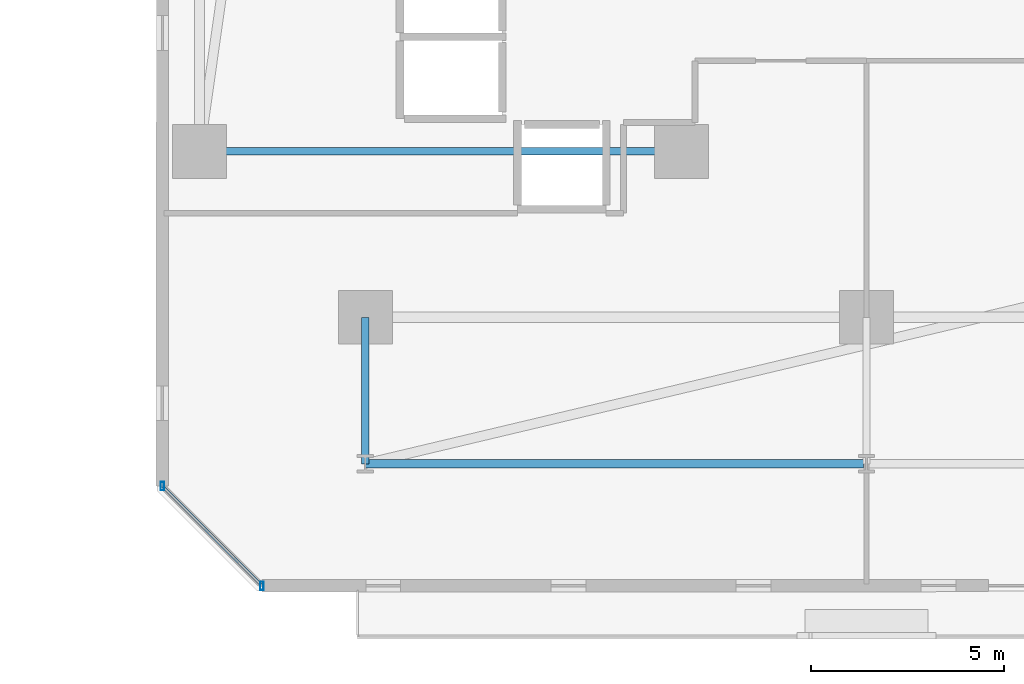
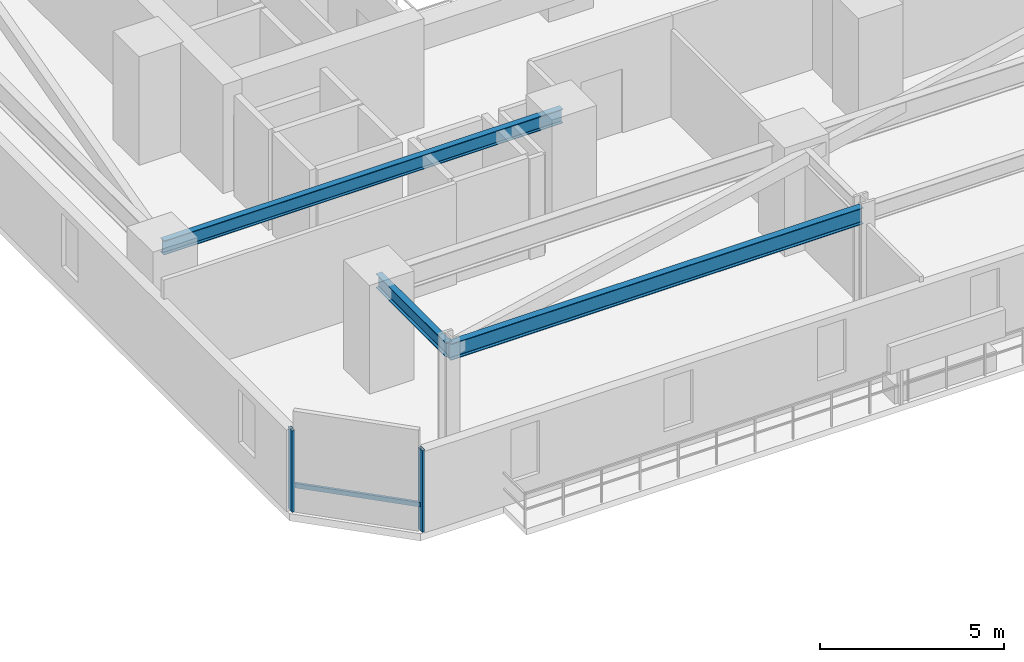
# One storey, part 10 of 33: 3 beams, 3 members, 1 element without a shape of its own.
"""IFC4 building model written with IfcOpenShell, lengths in metres."""

import ifcopenshell
import ifcopenshell.guid

model = None  # the IFC model being written
_history = None  # IfcOwnerHistory: only IFC2X3 demands one
_inside = {}  # id of a spatial element -> (the spatial element, [elements in it])
_under = {}  # id of a project, library or spatial element -> (it, [spatial elements below it])
_declared = {}  # id of a project -> (the project, [libraries it declares])
_typed = {}  # id of a type object -> (the type object, [elements of that type])
_made_of = {}  # id of a material, layer set ... -> (it, [elements and type objects made of it])


def new_model(schema):
    """Start an empty IFC model of exactly this schema.

    Asked for "IFC4X3", IfcOpenShell would pick the latest addendum, in which some entities
    have other attributes; the version numbers below select the first issue.
    IFC2X3 requires an IfcOwnerHistory on every rooted entity: one is made here for all.
    """
    global model, _history
    if schema == "IFC4X3":
        model = ifcopenshell.file(schema_version=(4, 3, 0, 0))
    else:
        model = ifcopenshell.file(schema=schema)
    _inside.clear()
    _under.clear()
    _declared.clear()
    _typed.clear()
    _made_of.clear()
    _history = None
    if model.schema == "IFC2X3":
        org = make("IfcOrganization", Name="unknown")
        user = make(
            "IfcPersonAndOrganization",
            ThePerson=make("IfcPerson", FamilyName="unknown"),
            TheOrganization=org,
        )
        app = make(
            "IfcApplication",
            ApplicationDeveloper=org,
            Version="unknown",
            ApplicationFullName="unknown",
            ApplicationIdentifier="unknown",
        )
        _history = make(
            "IfcOwnerHistory",
            OwningUser=user,
            OwningApplication=app,
            ChangeAction="ADDED",
            CreationDate=0,
        )
    return model


def make(cls, **values):
    """One entity of the class cls with the attributes given. An attribute that is None is left unset."""
    return model.create_entity(
        cls, **{name: value for name, value in values.items() if value is not None}
    )


def rooted(cls, **values):
    """An entity with a GlobalId (a new one), such as an element, a storey or a relation."""
    return make(cls, GlobalId=ifcopenshell.guid.new(), OwnerHistory=_history, **values)


def si_unit(unit_type, name, prefix=None):
    """IfcSIUnit, for example si_unit("LENGTHUNIT", "METRE", prefix="MILLI")."""
    return make("IfcSIUnit", UnitType=unit_type, Prefix=prefix, Name=name)


def assignment(units):
    """IfcUnitAssignment: the units of a project."""
    return None if units is None else make("IfcUnitAssignment", Units=units)


def point(xyz):
    """IfcCartesianPoint."""
    return None if xyz is None else make("IfcCartesianPoint", Coordinates=xyz)


def direction(xyz):
    """IfcDirection."""
    return None if xyz is None else make("IfcDirection", DirectionRatios=xyz)


def frame(location, z_axis=None, x_axis=None):
    """IfcAxis2Placement3D, a coordinate frame: its origin and axes. An axis left out is left unset."""
    return make(
        "IfcAxis2Placement3D",
        Location=point(location),
        Axis=direction(z_axis),
        RefDirection=direction(x_axis),
    )


def frame_2d(location, x_axis=None):
    """IfcAxis2Placement2D, a coordinate frame in the plane: its origin and x axis."""
    return make(
        "IfcAxis2Placement2D", Location=point(location), RefDirection=direction(x_axis)
    )


def origin():
    """The frame at (0, 0, 0) with its axes left unset."""
    return frame((0.0, 0.0, 0.0))


def origin_2d():
    """The frame at (0, 0) in the plane with its x axis left unset."""
    return frame_2d((0.0, 0.0))


def place(relative_to, where):
    """IfcLocalPlacement: puts the frame where relative to a parent placement (None: the world)."""
    return make(
        "IfcLocalPlacement", PlacementRelTo=relative_to, RelativePlacement=where
    )


def context(
    kind, dimensions, precision=None, world=None, true_north=None, identifier=None
):
    """IfcGeometricRepresentationContext, for example the 3D "Model" context."""
    return make(
        "IfcGeometricRepresentationContext",
        ContextIdentifier=identifier,
        ContextType=kind,
        CoordinateSpaceDimension=dimensions,
        Precision=precision,
        WorldCoordinateSystem=world,
        TrueNorth=true_north,
    )


def subcontext(parent, identifier, kind, view, scale=None):
    """IfcGeometricRepresentationSubContext, for example "Body" below "Model"."""
    return make(
        "IfcGeometricRepresentationSubContext",
        ContextIdentifier=identifier,
        ContextType=kind,
        ParentContext=parent,
        TargetScale=scale,
        TargetView=view,
    )


def project(units=None, contexts=None):
    """IfcProject with its units and contexts."""
    return rooted(
        "IfcProject",
        Name="project",
        RepresentationContexts=contexts,
        UnitsInContext=assignment(units),
    )


def spatial(cls, under=None, at=None, **own):
    """A site, building, storey or space (cls), placed at a placement, below another one or the project."""
    s = rooted(cls, ObjectPlacement=at, **own)
    if under is not None:
        _under.setdefault(under.id(), (under, []))[1].append(s)
    return s


def profile(cls, at=None, kind="AREA", **sizes):
    """A parametric profile (cls). Its sizes go by their IFC names, for example OverallWidth=200.0."""
    return make(cls, ProfileType=kind, Position=at, **sizes)


def hollow_rectangle(**sizes):
    """IfcRectangleHollowProfileDef."""
    return profile("IfcRectangleHollowProfileDef", **sizes)


def i_section(**sizes):
    """IfcIShapeProfileDef."""
    return profile("IfcIShapeProfileDef", **sizes)


def extrude(swept, where, along, depth):
    """IfcExtrudedAreaSolid: the profile swept, set in the frame where, extruded along a direction by depth."""
    return make(
        "IfcExtrudedAreaSolid",
        SweptArea=swept,
        Position=where,
        ExtrudedDirection=direction(along),
        Depth=depth,
    )


def shape(context_of_items, identifier, shape_type, items):
    """IfcShapeRepresentation: the items that make up one representation, for example the "Body"."""
    return make(
        "IfcShapeRepresentation",
        ContextOfItems=context_of_items,
        RepresentationIdentifier=identifier,
        RepresentationType=shape_type,
        Items=items,
    )


def material(Name=None, Category=None):
    """IfcMaterial."""
    return make("IfcMaterial", Name=Name, Category=Category)


def material_profile(
    of_material, cross_section, Name=None, Category=None, Priority=None
):
    """IfcMaterialProfile: a cross section and its material."""
    return make(
        "IfcMaterialProfile",
        Name=Name,
        Material=of_material,
        Profile=cross_section,
        Priority=Priority,
        Category=Category,
    )


def profile_set(profiles, Name=None, composite=None):
    """IfcMaterialProfileSet."""
    return make(
        "IfcMaterialProfileSet",
        Name=Name,
        MaterialProfiles=profiles,
        CompositeProfile=composite,
    )


def made_of(thing, what):
    """Note that an element or type object is made of a material, layer set ...; save() writes the relation."""
    if what is not None:
        _made_of.setdefault(what.id(), (what, []))[1].append(thing)
    return thing


def type_object(cls, material=None, **own):
    """A type object (cls), such as IfcWallType, which elements share."""
    return made_of(rooted(cls, **own), material)


def element(
    cls,
    number,
    at=None,
    inside=None,
    cuts=None,
    type_object=None,
    material=None,
    context=None,
    identifier="Body",
    shape_type=None,
    held_by="IfcProductDefinitionShape",
    body=None,
    shapes=None,
    **own,
):
    """One element of the class cls, such as IfcWall. Its Tag is "e" and its number.

    at: its placement. inside: the storey or other place that contains it. cuts: it is an
    opening in that element (IfcRelVoidsElement). A single representation is given by context,
    identifier, shape_type and body (its items); several are given by shapes. held_by: the class
    of the entity that holds the representations. save() writes the other relations.
    """
    e = rooted(cls, Tag="e%d" % number, ObjectPlacement=at, **own)
    if body is not None:
        shapes = [shape(context, identifier, shape_type, body)]
    if shapes is not None:
        e.Representation = make(held_by, Representations=shapes)
    if inside is not None:
        _inside.setdefault(inside.id(), (inside, []))[1].append(e)
    if cuts is not None:
        rooted(
            "IfcRelVoidsElement", RelatingBuildingElement=cuts, RelatedOpeningElement=e
        )
    if type_object is not None:
        _typed.setdefault(type_object.id(), (type_object, []))[1].append(e)
    return made_of(e, material)


def aggregate(whole, parts):
    """IfcRelAggregates: a whole, such as a stair, and the parts it consists of."""
    return rooted("IfcRelAggregates", RelatingObject=whole, RelatedObjects=parts)


def save(model, path):
    """Write the relations noted so far, then the file.

    IfcRelAggregates (storeys below a building ...), IfcRelContainedInSpatialStructure (elements
    in a storey), IfcRelDefinesByType, IfcRelAssociatesMaterial and IfcRelDeclares: one each for
    every whole, place, type object, material and project.
    """
    for whole, parts in _under.values():
        aggregate(whole, parts)
    for where, things in _inside.values():
        rooted(
            "IfcRelContainedInSpatialStructure",
            RelatedElements=things,
            RelatingStructure=where,
        )
    for kind, things in _typed.values():
        rooted("IfcRelDefinesByType", RelatedObjects=things, RelatingType=kind)
    for what, things in _made_of.values():
        rooted("IfcRelAssociatesMaterial", RelatedObjects=things, RelatingMaterial=what)
    for by, libraries in _declared.values():
        rooted("IfcRelDeclares", RelatingContext=by, RelatedDefinitions=libraries)
    model.write(path)


model = new_model("IFC4")

# Units and contexts
model_context = context("Model", 3, precision=1e-05, world=origin(), true_north=direction((0.0, 1.0)))
body_context = subcontext(model_context, "Body", "Model", "MODEL_VIEW")
ifc_project = project(units=[si_unit("LENGTHUNIT", "METRE"), si_unit("AREAUNIT", "SQUARE_METRE"), si_unit("VOLUMEUNIT", "CUBIC_METRE"), si_unit("PLANEANGLEUNIT", "RADIAN"), si_unit("MASSUNIT", "GRAM", prefix="KILO")], contexts=[model_context])

# Site, building, storey
site_placement = place(None, origin())
site = spatial("IfcSite", under=ifc_project, at=site_placement, CompositionType="ELEMENT")
building_placement = place(site_placement, origin())
building = spatial("IfcBuilding", under=site, at=building_placement, Name="Thornwick Lancets Civic Towers", CompositionType="ELEMENT")
storey_placement = place(building_placement, frame((0.0, 0.0, 31.5)))
storey = spatial("IfcBuildingStorey", under=building, at=storey_placement, Name="L07", CompositionType="ELEMENT", Elevation=31.5)

# Beams
ifc_material_1 = material(Name="Steel S355JR", Category="steel")
ifc_material_profile_1 = material_profile(ifc_material_1, i_section(OverallWidth=0.2119140625, OverallDepth=0.54443359375, WebThickness=0.0126953125, FlangeThickness=0.021240234375, FilletRadius=0.0126953125, at=origin_2d()), Name="UKB 533x210x122")
ifc_profile_set_1 = profile_set([ifc_material_profile_1], Name="Steel S355JR")
beam_type_1 = type_object("IfcBeamType", Name="BM_EDGE_533_122", PredefinedType="SPANDREL", material=ifc_profile_set_1)
beam_1_placement = place(storey_placement, frame((88.419921875, 5.89990234375, 3.087646484375), z_axis=(-1.0, 0.0, 0.0), x_axis=(0.0, -1.0, 0.0)))
element("IfcBeam", 1, at=beam_1_placement, inside=storey, type_object=beam_type_1, Name="BM-EDGE-L07-B-S3-2", PredefinedType="SPANDREL", context=body_context, shape_type="SweptSolid", body=[
    extrude(i_section(OverallWidth=0.2119140625, OverallDepth=0.54443359375, WebThickness=0.0126953125, FlangeThickness=0.021240234375, FilletRadius=0.0126953125, at=origin_2d()), origin(), (0.0, 0.0, 1.0), 12.919921875),
])
ifc_material_profile_2 = material_profile(ifc_material_1, i_section(OverallWidth=0.19287109375, OverallDepth=0.46728515625, WebThickness=0.011474609375, FlangeThickness=0.01953125, FilletRadius=0.01025390625, at=origin_2d()), Name="UKB 457x191x98")
ifc_profile_set_2 = profile_set([ifc_material_profile_2], Name="Steel S355JR")
beam_type_2 = type_object("IfcBeamType", Name="BM_JOIST_457_98", PredefinedType="JOIST", material=ifc_profile_set_2)
beam_2_placement = place(storey_placement, frame((83.699951171875, 14.0, 3.12646484375), z_axis=(-1.0, 0.0, 0.0), x_axis=(0.0, -1.0, 0.0)))
element("IfcBeam", 2, at=beam_2_placement, inside=storey, type_object=beam_type_2, Name="BM-RADIN-L07-B07", PredefinedType="JOIST", context=body_context, shape_type="SweptSolid", body=[
    extrude(i_section(OverallWidth=0.19287109375, OverallDepth=0.46728515625, WebThickness=0.011474609375, FlangeThickness=0.01953125, FilletRadius=0.01025390625, at=origin_2d()), origin(), (0.0, 0.0, 1.0), 12.5),
])
beam_3_placement = place(storey_placement, frame((75.5, 9.699951171875, 3.12646484375), z_axis=(0.0, -1.0, 0.0), x_axis=(1.0, 0.0, 0.0)))
element("IfcBeam", 3, at=beam_3_placement, inside=storey, type_object=beam_type_2, Name="BM-RAD-L07-B12", PredefinedType="JOIST", context=body_context, shape_type="SweptSolid", body=[
    extrude(i_section(OverallWidth=0.19287109375, OverallDepth=0.46728515625, WebThickness=0.011474609375, FlangeThickness=0.01953125, FilletRadius=0.01025390625, at=origin_2d()), origin(), (0.0, 0.0, 1.0), 3.800048828125),
])

# Curtain wall, members
ifc_material_2 = material(Name="Low-zone chamfered-corner unitised glass curtain wall", Category="glass")
curtain_wall_type = type_object("IfcCurtainWallType", Name="CW_SYS_03", PredefinedType="NOTDEFINED", material=ifc_material_2)
curtain_wall_placement = place(storey_placement, origin())
curtain_wall = element("IfcCurtainWall", 4, at=curtain_wall_placement, inside=storey, type_object=curtain_wall_type, Name="L07 Curtain Wall CW-L07-B-E7", PredefinedType="NOTDEFINED")
ifc_material_3 = material(Name="Thermally broken bronze aluminium S355", Category="steel")
ifc_material_profile_3 = material_profile(ifc_material_3, hollow_rectangle(XDim=0.090087890625, YDim=0.219970703125, WallThickness=0.00634765625, at=origin_2d()), Name="RHS 220x90x6.3")
ifc_profile_set_3 = profile_set([ifc_material_profile_3], Name="Thermally broken bronze aluminium S355")
member_type_1 = type_object("IfcMemberType", Name="CW_MUL_220", PredefinedType="MULLION", material=ifc_profile_set_3)
member_1_placement = place(storey_placement, frame((70.235107421875, 5.31884765625, 0.0), z_axis=(0.0, 0.0, 1.0), x_axis=(1.0, 0.0, 0.0)))
member_1 = element("IfcMember", 5, at=member_1_placement, type_object=member_type_1, Name="CW-L07-B-E7 Mullion 0", PredefinedType="MULLION", context=body_context, shape_type="SweptSolid", body=[
    extrude(hollow_rectangle(XDim=0.090087890625, YDim=0.219970703125, WallThickness=0.00634765625, at=origin_2d()), origin(), (0.0, 0.0, 1.0), 2.699951171875),
])
member_2_placement = place(storey_placement, frame((72.81884765625, 2.735107421875, 0.0), z_axis=(0.0, 0.0, 1.0), x_axis=(1.0, 0.0, 0.0)))
member_2 = element("IfcMember", 6, at=member_2_placement, type_object=member_type_1, Name="CW-L07-B-E7 Mullion 1", PredefinedType="MULLION", context=body_context, shape_type="SweptSolid", body=[
    extrude(hollow_rectangle(XDim=0.090087890625, YDim=0.219970703125, WallThickness=0.00634765625, at=origin_2d()), origin(), (0.0, 0.0, 1.0), 2.699951171875),
])
ifc_material_profile_4 = material_profile(ifc_material_3, hollow_rectangle(XDim=0.074951171875, YDim=0.14990234375, WallThickness=0.0048828125, at=origin_2d()), Name="RHS 150x75x5")
ifc_profile_set_4 = profile_set([ifc_material_profile_4], Name="Thermally broken bronze aluminium S355")
member_type_2 = type_object("IfcMemberType", Name="CW_TRN_150", PredefinedType="USERDEFINED", material=ifc_profile_set_4)
member_3_placement = place(storey_placement, frame((70.249267578125, 5.3046875, 0.85009765625), z_axis=(0.707106781187, -0.707106781187, 0.0), x_axis=(0.707106781187, 0.707106781187, 0.0)))
member_3 = element("IfcMember", 7, at=member_3_placement, type_object=member_type_2, Name="CW-L07-B-E7 Transom 0", ObjectType="TRANSOM", PredefinedType="USERDEFINED", context=body_context, shape_type="SweptSolid", body=[
    extrude(hollow_rectangle(XDim=0.074951171875, YDim=0.14990234375, WallThickness=0.0048828125, at=origin_2d()), origin(), (0.0, 0.0, 1.0), 3.614013671875),
])
aggregate(curtain_wall, [member_1, member_2, member_3])

save(model, "model.ifc")
